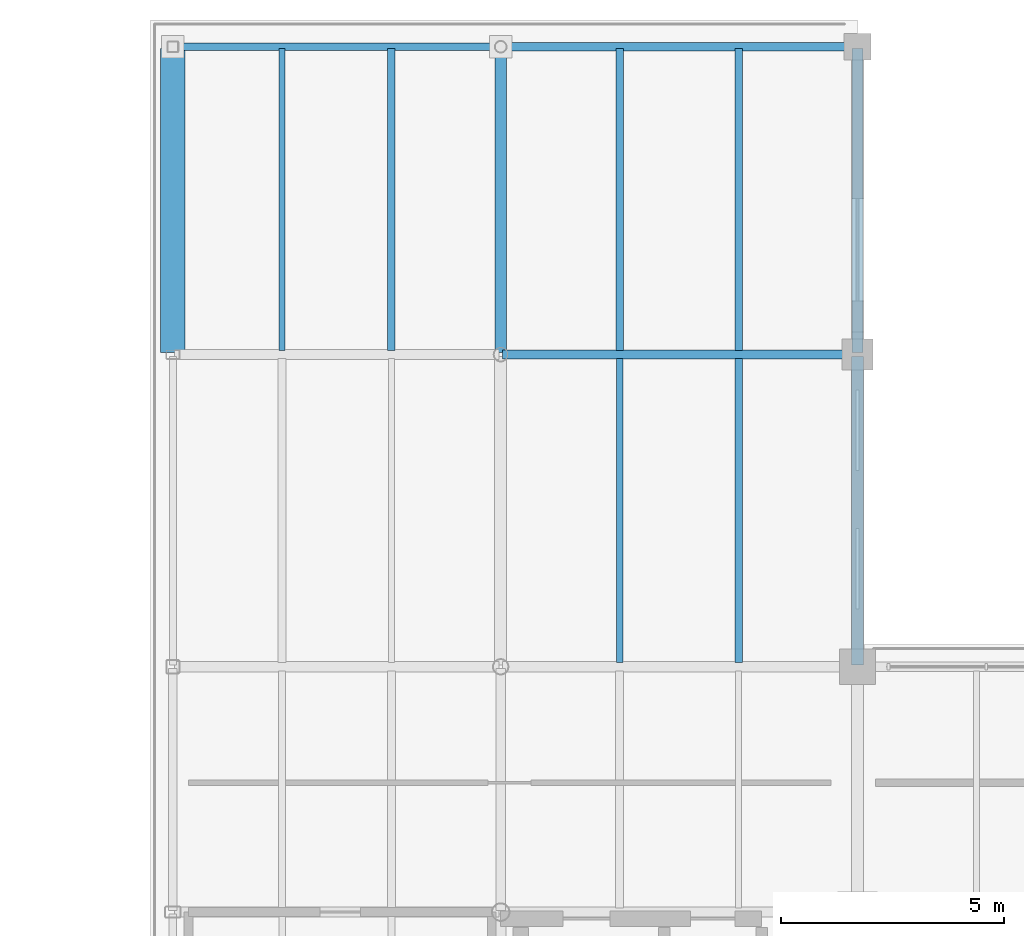
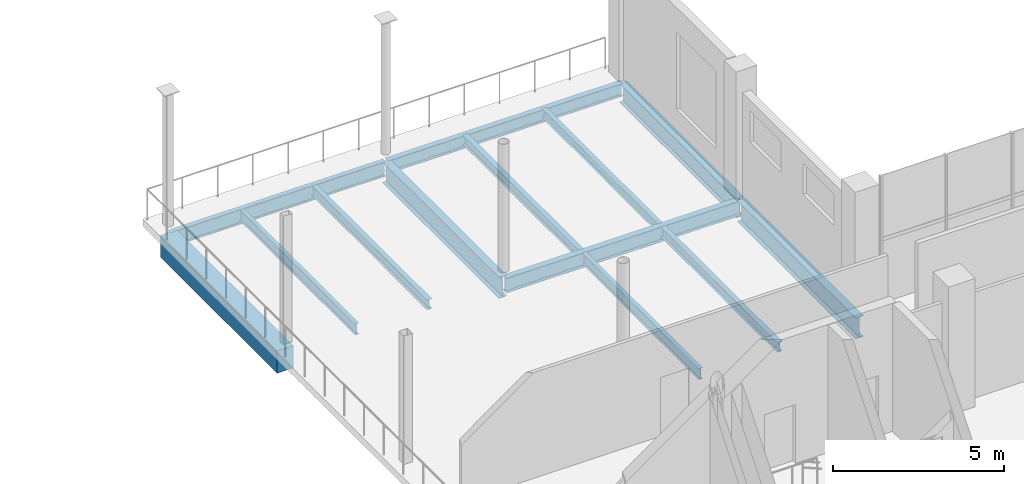
# One storey, part 24 of 51: 13 beams.
"""IFC4 building model written with IfcOpenShell, lengths in metres."""

from ifc_helpers import new_model, si_unit, direction, frame, origin, origin_2d, place, context, subcontext, project, spatial, rectangle, i_section, extrude, material, material_profile, profile_set, type_object, element, save


model = new_model("IFC4")

# Units and contexts
model_context = context("Model", 3, precision=1e-05, world=origin(), true_north=direction((0.0, 1.0)))
body_context = subcontext(model_context, "Body", "Model", "MODEL_VIEW")
ifc_project = project(units=[si_unit("LENGTHUNIT", "METRE"), si_unit("AREAUNIT", "SQUARE_METRE"), si_unit("VOLUMEUNIT", "CUBIC_METRE"), si_unit("PLANEANGLEUNIT", "RADIAN"), si_unit("MASSUNIT", "GRAM", prefix="KILO")], contexts=[model_context])

# Site, building, storey
site_placement = place(None, origin())
site = spatial("IfcSite", under=ifc_project, at=site_placement, CompositionType="ELEMENT")
building_placement = place(site_placement, origin())
building = spatial("IfcBuilding", under=site, at=building_placement, Name="Brisemont Oceanarium", CompositionType="ELEMENT")
storey_placement = place(building_placement, frame((0.0, 0.0, 15.0)))
storey = spatial("IfcBuildingStorey", under=building, at=storey_placement, Name="L03", CompositionType="ELEMENT", Elevation=15.0)

# Beams
ifc_material_1 = material(Name="Concrete C40/50", Category="concrete")
ifc_material_profile_1 = material_profile(ifc_material_1, rectangle(XDim=0.550048828125, YDim=0.800048828125, at=origin_2d()), Name="RC-BM-550X800")
ifc_profile_set_1 = profile_set([ifc_material_profile_1], Name="Concrete C40/50")
beam_type_1 = type_object("IfcBeamType", Name="BM-RC550X800", PredefinedType="SPANDREL", material=ifc_profile_set_1)
beam_1_placement = place(storey_placement, frame((112.64990234375, 100.5400390625, -0.659912109375), z_axis=(0.0, 1.0, 0.0), x_axis=(-1.0, 0.0, 0.0)))
element("IfcBeam", 1, at=beam_1_placement, inside=storey, type_object=beam_type_1, Name="V6 L03 NS girder", PredefinedType="SPANDREL", context=body_context, shape_type="SweptSolid", body=[
    extrude(rectangle(XDim=0.550048828125, YDim=0.800048828125, at=origin_2d()), origin(), (0.0, 0.0, 1.0), 6.820068359375),
])
ifc_material_2 = material(Name="Structural Steel ASTM A992 Gr.50", Category="steel")
ifc_material_profile_2 = material_profile(ifc_material_2, i_section(OverallWidth=0.1650390625, OverallDepth=0.31005859375, WebThickness=0.005859375, FlangeThickness=0.009765625, FilletRadius=0.008056640625, at=origin_2d()), Name="W12X26")
ifc_profile_set_2 = profile_set([ifc_material_profile_2], Name="Structural Steel ASTM A992 Gr.50")
beam_type_2 = type_object("IfcBeamType", Name="BM-W12X26", PredefinedType="JOIST", material=ifc_profile_set_2)
beam_2_placement = place(storey_placement, frame((125.333251953125, 100.590087890625, -0.4150390625), z_axis=(0.0, 1.0, 0.0), x_axis=(-1.0, 0.0, 0.0)))
element("IfcBeam", 2, at=beam_2_placement, inside=storey, type_object=beam_type_2, Name="V6 L03 secondary floor beam", PredefinedType="JOIST", context=body_context, shape_type="SweptSolid", body=[
    extrude(i_section(OverallWidth=0.1650390625, OverallDepth=0.31005859375, WebThickness=0.005859375, FlangeThickness=0.009765625, FilletRadius=0.008056640625, at=origin_2d()), origin(), (0.0, 0.0, 1.0), 6.77001953125),
])
ifc_material_3 = material(Name="Structural Steel ASTM A992 Gr.50", Category="steel")
ifc_material_profile_3 = material_profile(ifc_material_3, i_section(OverallWidth=0.1708984375, OverallDepth=0.35107421875, WebThickness=0.0068359375, FlangeThickness=0.009765625, FilletRadius=0.010009765625, at=origin_2d()), Name="W14X30")
ifc_profile_set_3 = profile_set([ifc_material_profile_3], Name="Structural Steel ASTM A992 Gr.50")
beam_type_3 = type_object("IfcBeamType", Name="BM-W14X30", PredefinedType="JOIST", material=ifc_profile_set_3)
beam_3_placement = place(storey_placement, frame((117.550048828125, 100.590087890625, -0.435546875), z_axis=(0.0, 1.0, 0.0), x_axis=(-1.0, 0.0, 0.0)))
element("IfcBeam", 3, at=beam_3_placement, inside=storey, type_object=beam_type_3, Name="V6 L03 secondary floor beam", PredefinedType="JOIST", context=body_context, shape_type="SweptSolid", body=[
    extrude(i_section(OverallWidth=0.1708984375, OverallDepth=0.35107421875, WebThickness=0.0068359375, FlangeThickness=0.009765625, FilletRadius=0.010009765625, at=origin_2d()), origin(), (0.0, 0.0, 1.0), 6.77001953125),
])
beam_4_placement = place(storey_placement, frame((125.333251953125, 93.590087890625, -0.435546875), z_axis=(0.0, 1.0, 0.0), x_axis=(-1.0, 0.0, 0.0)))
element("IfcBeam", 4, at=beam_4_placement, inside=storey, type_object=beam_type_3, Name="V6 L03 secondary floor beam", PredefinedType="JOIST", context=body_context, shape_type="SweptSolid", body=[
    extrude(i_section(OverallWidth=0.1708984375, OverallDepth=0.35107421875, WebThickness=0.0068359375, FlangeThickness=0.009765625, FilletRadius=0.010009765625, at=origin_2d()), origin(), (0.0, 0.0, 1.0), 6.81982421875),
])
beam_5_placement = place(storey_placement, frame((122.666748046875, 100.590087890625, -0.435546875), z_axis=(0.0, 1.0, 0.0), x_axis=(-1.0, 0.0, 0.0)))
element("IfcBeam", 5, at=beam_5_placement, inside=storey, type_object=beam_type_3, Name="V6 L03 secondary floor beam", PredefinedType="JOIST", context=body_context, shape_type="SweptSolid", body=[
    extrude(i_section(OverallWidth=0.1708984375, OverallDepth=0.35107421875, WebThickness=0.0068359375, FlangeThickness=0.009765625, FilletRadius=0.010009765625, at=origin_2d()), origin(), (0.0, 0.0, 1.0), 6.77001953125),
])
ifc_material_4 = material(Name="Structural Steel ASTM A992 Gr.50", Category="steel")
ifc_material_profile_4 = material_profile(ifc_material_4, i_section(OverallWidth=0.139892578125, OverallDepth=0.39892578125, WebThickness=0.00634765625, FlangeThickness=0.0087890625, FilletRadius=0.010009765625, at=origin_2d()), Name="W16X26")
ifc_profile_set_4 = profile_set([ifc_material_profile_4], Name="Structural Steel ASTM A992 Gr.50")
beam_type_4 = type_object("IfcBeamType", Name="BM-W16X26", PredefinedType="JOIST", material=ifc_profile_set_4)
beam_6_placement = place(storey_placement, frame((115.10009765625, 100.590087890625, -0.45947265625), z_axis=(0.0, 1.0, 0.0), x_axis=(-1.0, 0.0, 0.0)))
element("IfcBeam", 6, at=beam_6_placement, inside=storey, type_object=beam_type_4, Name="V6 L03 secondary floor beam", PredefinedType="JOIST", context=body_context, shape_type="SweptSolid", body=[
    extrude(i_section(OverallWidth=0.139892578125, OverallDepth=0.39892578125, WebThickness=0.00634765625, FlangeThickness=0.0087890625, FilletRadius=0.010009765625, at=origin_2d()), origin(), (0.0, 0.0, 1.0), 6.77001953125),
])
beam_7_placement = place(storey_placement, frame((122.666748046875, 93.590087890625, -0.45947265625), z_axis=(0.0, 1.0, 0.0), x_axis=(-1.0, 0.0, 0.0)))
element("IfcBeam", 7, at=beam_7_placement, inside=storey, type_object=beam_type_4, Name="V6 L03 secondary floor beam", PredefinedType="JOIST", context=body_context, shape_type="SweptSolid", body=[
    extrude(i_section(OverallWidth=0.139892578125, OverallDepth=0.39892578125, WebThickness=0.00634765625, FlangeThickness=0.0087890625, FilletRadius=0.010009765625, at=origin_2d()), origin(), (0.0, 0.0, 1.0), 6.81982421875),
])
ifc_material_5 = material(Name="Structural Steel ASTM A992 Gr.50", Category="steel")
ifc_material_profile_5 = material_profile(ifc_material_5, i_section(OverallWidth=0.19091796875, OverallDepth=0.4599609375, WebThickness=0.010009765625, FlangeThickness=0.01611328125, FilletRadius=0.010986328125, at=origin_2d()), Name="W18X55")
ifc_profile_set_5 = profile_set([ifc_material_profile_5], Name="Structural Steel ASTM A992 Gr.50")
beam_type_5 = type_object("IfcBeamType", Name="BM-W18X55", PredefinedType="SPANDREL", material=ifc_profile_set_5)
beam_8_placement = place(storey_placement, frame((120.0400390625, 107.39990234375, -0.489990234375), z_axis=(1.0, 0.0, 0.0), x_axis=(0.0, 1.0, 0.0)))
element("IfcBeam", 8, at=beam_8_placement, inside=storey, type_object=beam_type_5, Name="V6 L03 EW girder", PredefinedType="SPANDREL", context=body_context, shape_type="SweptSolid", body=[
    extrude(i_section(OverallWidth=0.19091796875, OverallDepth=0.4599609375, WebThickness=0.010009765625, FlangeThickness=0.01611328125, FilletRadius=0.010986328125, at=origin_2d()), origin(), (0.0, 0.0, 1.0), 7.919921875),
])
ifc_material_6 = material(Name="Structural Steel ASTM A992 Gr.50", Category="steel")
ifc_material_profile_6 = material_profile(ifc_material_6, i_section(OverallWidth=0.166015625, OverallDepth=0.528076171875, WebThickness=0.009765625, FlangeThickness=0.013671875, FilletRadius=0.012939453125, at=origin_2d()), Name="W21X50")
ifc_profile_set_6 = profile_set([ifc_material_profile_6], Name="Structural Steel ASTM A992 Gr.50")
beam_type_6 = type_object("IfcBeamType", Name="BM-W21X50", PredefinedType="SPANDREL", material=ifc_profile_set_6)
beam_9_placement = place(storey_placement, frame((112.68994140625, 107.39990234375, -0.52392578125), z_axis=(1.0, 0.0, 0.0), x_axis=(0.0, 1.0, 0.0)))
element("IfcBeam", 9, at=beam_9_placement, inside=storey, type_object=beam_type_6, Name="V6 L03 EW girder", PredefinedType="SPANDREL", context=body_context, shape_type="SweptSolid", body=[
    extrude(i_section(OverallWidth=0.166015625, OverallDepth=0.528076171875, WebThickness=0.009765625, FlangeThickness=0.013671875, FilletRadius=0.012939453125, at=origin_2d()), origin(), (0.0, 0.0, 1.0), 7.27001953125),
])
ifc_material_7 = material(Name="Structural Steel ASTM A992 Gr.50", Category="steel")
ifc_material_profile_7 = material_profile(ifc_material_7, i_section(OverallWidth=0.2099609375, OverallDepth=0.532958984375, WebThickness=0.01025390625, FlangeThickness=0.015625, FilletRadius=0.012939453125, at=origin_2d()), Name="W21X62")
ifc_profile_set_7 = profile_set([ifc_material_profile_7], Name="Structural Steel ASTM A992 Gr.50")
beam_type_7 = type_object("IfcBeamType", Name="BM-W21X62", PredefinedType="BEAM", material=ifc_profile_set_7)
beam_10_placement = place(storey_placement, frame((120.0400390625, 100.5, -0.526611328125), z_axis=(1.0, 0.0, 0.0), x_axis=(0.0, 1.0, 0.0)))
element("IfcBeam", 10, at=beam_10_placement, inside=storey, type_object=beam_type_7, Name="V6 L03 EW girder", PredefinedType="BEAM", context=body_context, shape_type="SweptSolid", body=[
    extrude(i_section(OverallWidth=0.2099609375, OverallDepth=0.532958984375, WebThickness=0.01025390625, FlangeThickness=0.015625, FilletRadius=0.012939453125, at=origin_2d()), origin(), (0.0, 0.0, 1.0), 7.919921875),
])
ifc_material_8 = material(Name="Structural Steel ASTM A992 Gr.50", Category="steel")
ifc_material_profile_8 = material_profile(ifc_material_8, i_section(OverallWidth=0.25390625, OverallDepth=0.68310546875, WebThickness=0.012451171875, FlangeThickness=0.018798828125, FilletRadius=0.014892578125, at=origin_2d()), Name="W27X94")
ifc_profile_set_8 = profile_set([ifc_material_profile_8], Name="Structural Steel ASTM A992 Gr.50")
beam_type_8 = type_object("IfcBeamType", Name="BM-W27X94", PredefinedType="BEAM", material=ifc_profile_set_8)
beam_11_placement = place(storey_placement, frame((128.0, 100.5400390625, -0.6015625), z_axis=(0.0, 1.0, 0.0), x_axis=(-1.0, 0.0, 0.0)))
element("IfcBeam", 11, at=beam_11_placement, inside=storey, type_object=beam_type_8, Name="V6 L03 NS girder", PredefinedType="BEAM", context=body_context, shape_type="SweptSolid", body=[
    extrude(i_section(OverallWidth=0.25390625, OverallDepth=0.68310546875, WebThickness=0.012451171875, FlangeThickness=0.018798828125, FilletRadius=0.014892578125, at=origin_2d()), origin(), (0.0, 0.0, 1.0), 6.820068359375),
])
ifc_material_9 = material(Name="Structural Steel ASTM A992 Gr.50", Category="steel")
ifc_material_profile_9 = material_profile(ifc_material_9, i_section(OverallWidth=0.264892578125, OverallDepth=0.7529296875, WebThickness=0.01318359375, FlangeThickness=0.01708984375, FilletRadius=0.01611328125, at=origin_2d()), Name="W30X99")
ifc_profile_set_9 = profile_set([ifc_material_profile_9], Name="Structural Steel ASTM A992 Gr.50")
beam_type_9 = type_object("IfcBeamType", Name="BM-W30X99", PredefinedType="BEAM", material=ifc_profile_set_9)
beam_12_placement = place(storey_placement, frame((120.0, 100.5400390625, -0.636474609375), z_axis=(0.0, 1.0, 0.0), x_axis=(-1.0, 0.0, 0.0)))
element("IfcBeam", 12, at=beam_12_placement, inside=storey, type_object=beam_type_9, Name="V6 L03 NS girder", PredefinedType="BEAM", context=body_context, shape_type="SweptSolid", body=[
    extrude(i_section(OverallWidth=0.264892578125, OverallDepth=0.7529296875, WebThickness=0.01318359375, FlangeThickness=0.01708984375, FilletRadius=0.01611328125, at=origin_2d()), origin(), (0.0, 0.0, 1.0), 6.820068359375),
])
beam_13_placement = place(storey_placement, frame((128.0, 93.5400390625, -0.636474609375), z_axis=(0.0, 1.0, 0.0), x_axis=(-1.0, 0.0, 0.0)))
element("IfcBeam", 13, at=beam_13_placement, inside=storey, type_object=beam_type_9, Name="V6 L03 NS girder", PredefinedType="BEAM", context=body_context, shape_type="SweptSolid", body=[
    extrude(i_section(OverallWidth=0.264892578125, OverallDepth=0.7529296875, WebThickness=0.01318359375, FlangeThickness=0.01708984375, FilletRadius=0.01611328125, at=origin_2d()), origin(), (0.0, 0.0, 1.0), 6.919921875),
])

save(model, "model.ifc")
